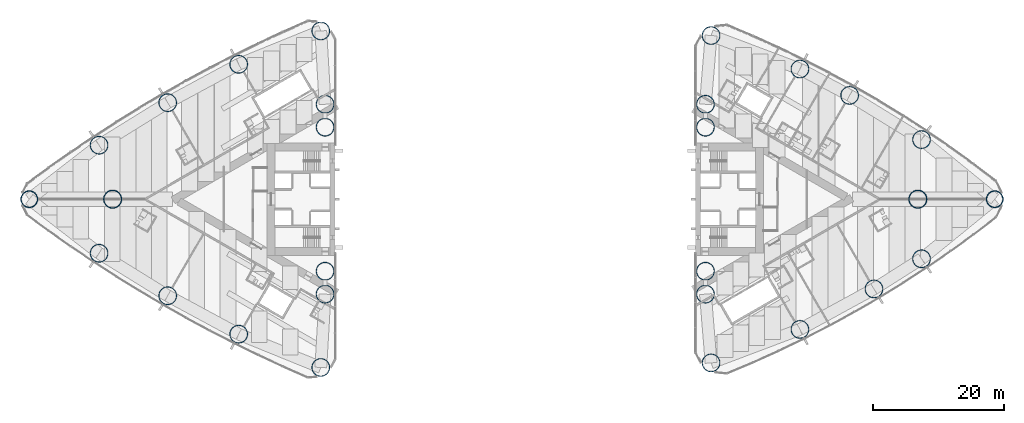
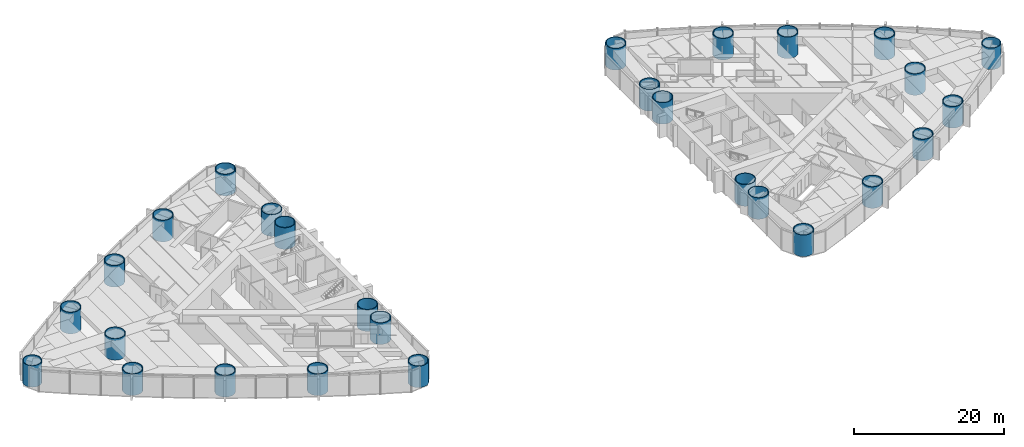
# One storey, part 1 of 18: 28 columns.
"""IFC4 building model written with IfcOpenShell, lengths in metres."""

from ifc_helpers import new_model, si_unit, direction, frame, origin, origin_2d, place, context, subcontext, project, spatial, hollow_circle, extrude, material, material_profile, profile_set, type_object, element, save


model = new_model("IFC4")

# Units and contexts
model_context = context("Model", 3, precision=1e-05, world=origin(), true_north=direction((0.0, 1.0)))
body_context = subcontext(model_context, "Body", "Model", "MODEL_VIEW")
ifc_project = project(units=[si_unit("LENGTHUNIT", "METRE"), si_unit("AREAUNIT", "SQUARE_METRE"), si_unit("VOLUMEUNIT", "CUBIC_METRE"), si_unit("PLANEANGLEUNIT", "RADIAN"), si_unit("MASSUNIT", "GRAM", prefix="KILO")], contexts=[model_context])

# Site, building, storey
site_placement = place(None, origin())
site = spatial("IfcSite", under=ifc_project, at=site_placement, CompositionType="ELEMENT")
building_placement = place(site_placement, origin())
building = spatial("IfcBuilding", under=site, at=building_placement, Name="Lancet Gate Hotel", CompositionType="ELEMENT")
storey_placement = place(building_placement, frame((0.0, 0.0, 42.5)))
storey = spatial("IfcBuildingStorey", under=building, at=storey_placement, Name="L10", CompositionType="ELEMENT", Elevation=42.5)

# Columns
ifc_material_1 = material(Name="Composite filled tube, grade 460 plate, grade 80/95 fill", Category="composite")
ifc_material_profile_1 = material_profile(ifc_material_1, hollow_circle(Radius=1.39990234375, WallThickness=0.10009765625, at=origin_2d()), Name="CHS 2800x100")
ifc_profile_set_1 = profile_set([ifc_material_profile_1], Name="Composite filled tube, grade 460 plate, grade 80/95 fill")
column_type_1 = type_object("IfcColumnType", Name="Apex column CFT CHS 2800x100", PredefinedType="COLUMN", material=ifc_profile_set_1)
for number, where, z_axis, x_axis, name in (
    (1, (-61.5, 0.0, 0.0), (0.0, 0.0, 1.0), (1.0, 0.0, 0.0), "T1 column AX L10"),
    (2, (61.5, 0.0, 0.0), (0.0, 0.0, 1.0), (1.0, 0.0, 0.0), "T2 column AX L10"),
):
    element("IfcColumn", number, at=place(storey_placement, frame(where, z_axis=z_axis, x_axis=x_axis)), inside=storey, type_object=column_type_1, Name=name, PredefinedType="COLUMN", context=body_context, shape_type="SweptSolid", body=[
        extrude(hollow_circle(Radius=1.39990234375, WallThickness=0.10009765625, at=origin_2d()), origin(), (0.0, 0.0, 1.0), 3.5),
    ])
ifc_material_2 = material(Name="Composite filled tube, grade 460 plate, grade 80/95 fill", Category="composite")
ifc_material_profile_2 = material_profile(ifc_material_2, hollow_circle(Radius=1.300048828125, WallThickness=0.10009765625, at=origin_2d()), Name="CHS 2600x100")
ifc_profile_set_2 = profile_set([ifc_material_profile_2], Name="Composite filled tube, grade 460 plate, grade 80/95 fill")
column_type_2 = type_object("IfcColumnType", Name="Apex corner column CFT CHS 2600x100", PredefinedType="COLUMN", material=ifc_profile_set_2)
for number, where, z_axis, x_axis, name in (
    (3, (-74.235107421875, 0.0, 0.0), (0.0, 0.0, 1.0), (1.0, 0.0, 0.0), "T1 column CA L10"),
    (4, (73.2392578125, 0.0, 0.0), (0.0, 0.0, 1.0), (1.0, 0.0, 0.0), "T2 column CA L10"),
):
    element("IfcColumn", number, at=place(storey_placement, frame(where, z_axis=z_axis, x_axis=x_axis)), inside=storey, type_object=column_type_2, Name=name, PredefinedType="COLUMN", context=body_context, shape_type="SweptSolid", body=[
        extrude(hollow_circle(Radius=1.300048828125, WallThickness=0.10009765625, at=origin_2d()), origin(), (0.0, 0.0, 1.0), 3.5),
    ])
ifc_material_3 = material(Name="Composite filled tube, grade 460 plate, grade 80/95 fill", Category="composite")
ifc_material_profile_3 = material_profile(ifc_material_3, hollow_circle(Radius=1.39990234375, WallThickness=0.1201171875, at=origin_2d()), Name="CHS 2800x120")
ifc_profile_set_3 = profile_set([ifc_material_profile_3], Name="Composite filled tube, grade 460 plate, grade 80/95 fill")
column_type_3 = type_object("IfcColumnType", Name="Perimeter column CFT CHS 2800x120", PredefinedType="COLUMN", material=ifc_profile_set_3)
for number, where, z_axis, x_axis, name in (
    (5, (-29.703369140625, -25.70263671875, 0.0), (0.0, 0.0, 1.0), (1.0, 0.0, 0.0), "T1 column CN L10"),
    (6, (-29.703369140625, 25.70263671875, 0.0), (0.0, 0.0, 1.0), (1.0, 0.0, 0.0), "T1 column CS L10"),
    (7, (-29.050048828125, -11.0, 0.0), (0.0, 0.0, 1.0), (1.0, 0.0, 0.0), "T1 column IN L10"),
    (8, (-29.050048828125, 11.0, 0.0), (0.0, 0.0, 1.0), (1.0, 0.0, 0.0), "T1 column IS L10"),
    (9, (-29.050048828125, 14.5, 0.0), (0.0, 0.0, 1.0), (1.0, 0.0, 0.0), "T1 column IT L10"),
    (10, (-29.050048828125, -14.5, 0.0), (0.0, 0.0, 1.0), (1.0, 0.0, 0.0), "T1 column JT L10"),
    (11, (-63.57177734375, -8.255126953125, 0.0), (0.0, 0.0, 1.0), (1.0, 0.0, 0.0), "T1 column ON1 L10"),
    (12, (-53.090087890625, -14.744873046875, 0.0), (0.0, 0.0, 1.0), (1.0, 0.0, 0.0), "T1 column ON2 L10"),
    (13, (-42.2451171875, -20.607421875, 0.0), (0.0, 0.0, 1.0), (1.0, 0.0, 0.0), "T1 column ON3 L10"),
    (14, (-42.2451171875, 20.607421875, 0.0), (0.0, 0.0, 1.0), (1.0, 0.0, 0.0), "T1 column OS1 L10"),
    (15, (-53.090087890625, 14.744873046875, 0.0), (0.0, 0.0, 1.0), (1.0, 0.0, 0.0), "T1 column OS2 L10"),
    (16, (-63.57177734375, 8.255126953125, 0.0), (0.0, 0.0, 1.0), (1.0, 0.0, 0.0), "T1 column OS3 L10"),
    (17, (29.9111328125, 25.00244140625, 0.0), (0.0, 0.0, 1.0), (1.0, 0.0, 0.0), "T2 column CN L10"),
    (18, (29.9111328125, -25.00244140625, 0.0), (0.0, 0.0, 1.0), (1.0, 0.0, 0.0), "T2 column CS L10"),
    (19, (29.050048828125, 11.0, 0.0), (0.0, 0.0, 1.0), (1.0, 0.0, 0.0), "T2 column IN L10"),
    (20, (29.050048828125, -11.0, 0.0), (0.0, 0.0, 1.0), (1.0, 0.0, 0.0), "T2 column IS L10"),
    (21, (29.050048828125, -14.5, 0.0), (0.0, 0.0, 1.0), (1.0, 0.0, 0.0), "T2 column IT L10"),
    (22, (29.050048828125, 14.5, 0.0), (0.0, 0.0, 1.0), (1.0, 0.0, 0.0), "T2 column JT L10"),
    (23, (62.059326171875, 9.10498046875, 0.0), (0.0, 0.0, 1.0), (1.0, 0.0, 0.0), "T2 column ON1 L10"),
    (24, (51.07763671875, 15.8583984375, 0.0), (0.0, 0.0, 1.0), (1.0, 0.0, 0.0), "T2 column ON2 L10"),
    (25, (43.484130859375, 19.886474609375, 0.0), (0.0, 0.0, 1.0), (1.0, 0.0, 0.0), "T2 column ON3 L10"),
    (26, (43.484130859375, -19.886474609375, 0.0), (0.0, 0.0, 1.0), (1.0, 0.0, 0.0), "T2 column OS1 L10"),
    (27, (54.795166015625, -13.70068359375, 0.0), (0.0, 0.0, 1.0), (1.0, 0.0, 0.0), "T2 column OS2 L10"),
    (28, (62.059326171875, -9.10498046875, 0.0), (0.0, 0.0, 1.0), (1.0, 0.0, 0.0), "T2 column OS3 L10"),
):
    element("IfcColumn", number, at=place(storey_placement, frame(where, z_axis=z_axis, x_axis=x_axis)), inside=storey, type_object=column_type_3, Name=name, PredefinedType="COLUMN", context=body_context, shape_type="SweptSolid", body=[
        extrude(hollow_circle(Radius=1.39990234375, WallThickness=0.1201171875, at=origin_2d()), origin(), (0.0, 0.0, 1.0), 3.5),
    ])

save(model, "model.ifc")
